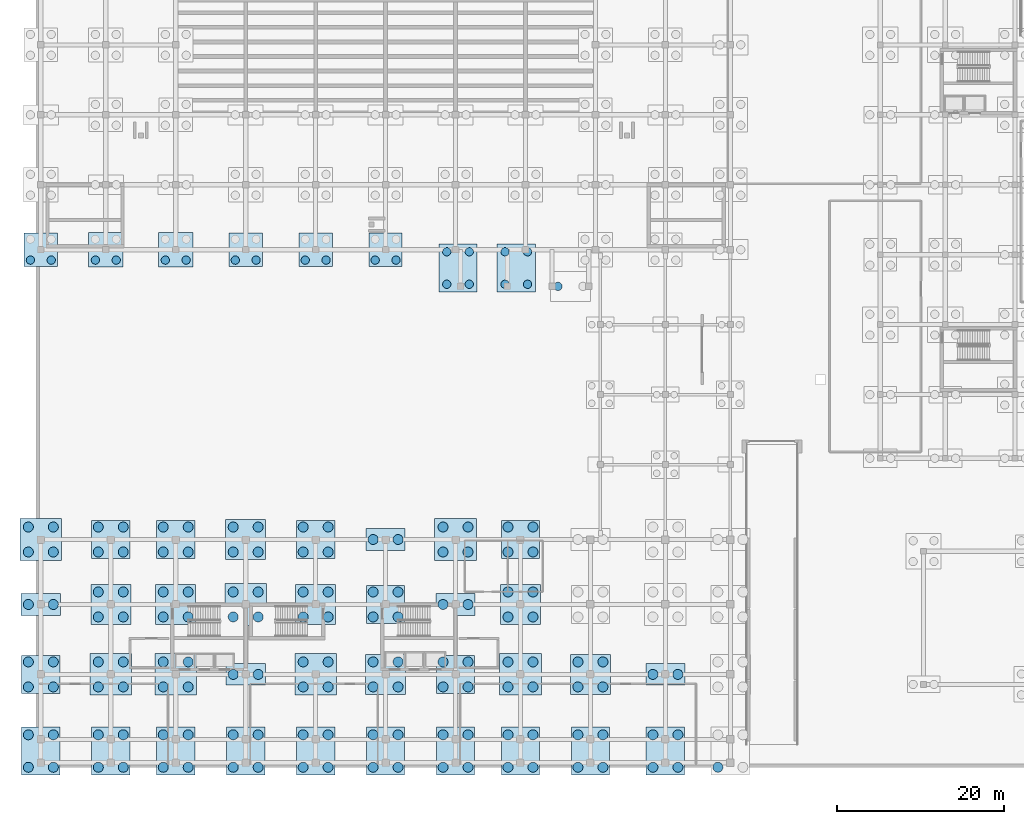
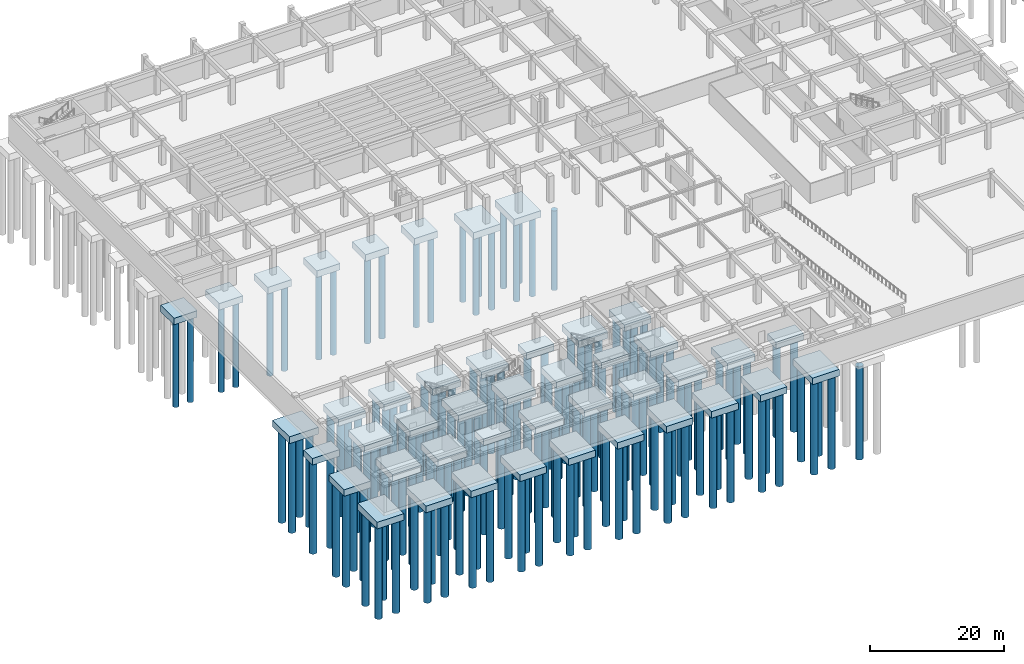
# One storey, part 1 of 35: 156 piles, 44 footings.
"""IFC4 building model written with IfcOpenShell, lengths in metres."""

from ifc_helpers import new_model, si_unit, direction, frame, origin, origin_2d, place, context, subcontext, project, spatial, rectangle, circle, extrude, material, material_profile, profile_set, type_object, element, save


model = new_model("IFC4")

# Units and contexts
model_context = context("Model", 3, precision=1e-05, world=origin(), true_north=direction((0.0, 1.0)))
body_context = subcontext(model_context, "Body", "Model", "MODEL_VIEW")
ifc_project = project(units=[si_unit("LENGTHUNIT", "METRE"), si_unit("AREAUNIT", "SQUARE_METRE"), si_unit("VOLUMEUNIT", "CUBIC_METRE"), si_unit("PLANEANGLEUNIT", "RADIAN"), si_unit("MASSUNIT", "GRAM", prefix="KILO")], contexts=[model_context])

# Site, building, storey
site_placement = place(None, origin())
site = spatial("IfcSite", under=ifc_project, at=site_placement, CompositionType="ELEMENT")
building_placement = place(site_placement, origin())
building = spatial("IfcBuilding", under=site, at=building_placement, Name="Zayran Congress Hotel", CompositionType="ELEMENT")
storey_placement = place(building_placement, frame((0.0, 0.0, -4.800048828125)))
storey = spatial("IfcBuildingStorey", under=building, at=storey_placement, Name="B1", CompositionType="ELEMENT", Elevation=-4.800048828125)

# Piles
ifc_material = material(Name="Concrete C40/50", Category="concrete")
ifc_material_profile_1 = material_profile(ifc_material, circle(Radius=0.60009765625, at=origin_2d()), Name="PILE D1200")
ifc_profile_set_1 = profile_set([ifc_material_profile_1], Name="Concrete C40/50")
pile_type_1 = type_object("IfcPileType", Name="TP-PL-1200", PredefinedType="BORED", material=ifc_profile_set_1)
for number, where, z_axis, x_axis, name in (
    (1, (7.5, 6.050048828125, -1.699951171875), (0.0, 0.0, -1.0), (1.0, 0.0, 0.0), "PIL-0025"),
    (2, (10.5, 6.050048828125, -1.699951171875), (0.0, 0.0, -1.0), (1.0, 0.0, 0.0), "PIL-0026"),
    (3, (7.5, 9.949951171875, -1.699951171875), (0.0, 0.0, -1.0), (1.0, 0.0, 0.0), "PIL-0027"),
    (4, (10.5, 9.949951171875, -1.699951171875), (0.0, 0.0, -1.0), (1.0, 0.0, 0.0), "PIL-0028"),
    (5, (7.5, 15.699951171875, -1.699951171875), (0.0, 0.0, -1.0), (1.0, 0.0, 0.0), "PIL-0029"),
    (6, (10.5, 15.699951171875, -1.699951171875), (0.0, 0.0, -1.0), (1.0, 0.0, 0.0), "PIL-0030"),
    (7, (7.5, 18.699951171875, -1.699951171875), (0.0, 0.0, -1.0), (1.0, 0.0, 0.0), "PIL-0031"),
    (8, (10.5, 18.699951171875, -1.699951171875), (0.0, 0.0, -1.0), (1.0, 0.0, 0.0), "PIL-0032"),
    (9, (7.5, 25.60009765625, -1.699951171875), (0.0, 0.0, -1.0), (1.0, 0.0, 0.0), "PIL-0033"),
    (10, (10.5, 25.60009765625, -1.699951171875), (0.0, 0.0, -1.0), (1.0, 0.0, 0.0), "PIL-0034"),
):
    element("IfcPile", number, at=place(storey_placement, frame(where, z_axis=z_axis, x_axis=x_axis)), inside=storey, type_object=pile_type_1, Name=name, PredefinedType="BORED", context=body_context, shape_type="SweptSolid", body=[
        extrude(circle(Radius=0.60009765625, at=origin_2d()), origin(), (0.0, 0.0, 1.0), 17.0),
    ])
for number, where, z_axis, x_axis, name in (
    (11, (7.5, 31.89990234375, -1.75), (0.0, 0.0, -1.0), (1.0, 0.0, 0.0), "PIL-0035"),
    (12, (10.5, 31.89990234375, -1.75), (0.0, 0.0, -1.0), (1.0, 0.0, 0.0), "PIL-0036"),
    (13, (7.5, 34.89990234375, -1.75), (0.0, 0.0, -1.0), (1.0, 0.0, 0.0), "PIL-0037"),
    (14, (10.5, 34.89990234375, -1.75), (0.0, 0.0, -1.0), (1.0, 0.0, 0.0), "PIL-0038"),
):
    element("IfcPile", number, at=place(storey_placement, frame(where, z_axis=z_axis, x_axis=x_axis)), inside=storey, type_object=pile_type_1, Name=name, PredefinedType="BORED", context=body_context, shape_type="SweptSolid", body=[
        extrude(circle(Radius=0.60009765625, at=origin_2d()), origin(), (0.0, 0.0, 1.0), 16.949951171875),
    ])
for number, where, z_axis, x_axis, name in (
    (15, (15.89990234375, 6.050048828125, -1.699951171875), (0.0, 0.0, -1.0), (1.0, 0.0, 0.0), "PIL-0087"),
    (16, (18.89990234375, 6.050048828125, -1.699951171875), (0.0, 0.0, -1.0), (1.0, 0.0, 0.0), "PIL-0088"),
    (17, (15.89990234375, 9.949951171875, -1.699951171875), (0.0, 0.0, -1.0), (1.0, 0.0, 0.0), "PIL-0089"),
    (18, (18.89990234375, 9.949951171875, -1.699951171875), (0.0, 0.0, -1.0), (1.0, 0.0, 0.0), "PIL-0090"),
):
    element("IfcPile", number, at=place(storey_placement, frame(where, z_axis=z_axis, x_axis=x_axis)), inside=storey, type_object=pile_type_1, Name=name, PredefinedType="BORED", context=body_context, shape_type="SweptSolid", body=[
        extrude(circle(Radius=0.60009765625, at=origin_2d()), origin(), (0.0, 0.0, 1.0), 17.0),
    ])
for number, where, z_axis, x_axis, name in (
    (19, (15.89990234375, 15.699951171875, -1.75), (0.0, 0.0, -1.0), (1.0, 0.0, 0.0), "PIL-0091"),
    (20, (18.89990234375, 15.699951171875, -1.75), (0.0, 0.0, -1.0), (1.0, 0.0, 0.0), "PIL-0092"),
    (21, (15.89990234375, 18.699951171875, -1.75), (0.0, 0.0, -1.0), (1.0, 0.0, 0.0), "PIL-0093"),
    (22, (18.89990234375, 18.699951171875, -1.75), (0.0, 0.0, -1.0), (1.0, 0.0, 0.0), "PIL-0094"),
):
    element("IfcPile", number, at=place(storey_placement, frame(where, z_axis=z_axis, x_axis=x_axis)), inside=storey, type_object=pile_type_1, Name=name, PredefinedType="BORED", context=body_context, shape_type="SweptSolid", body=[
        extrude(circle(Radius=0.60009765625, at=origin_2d()), origin(), (0.0, 0.0, 1.0), 16.949951171875),
    ])
for number, where, z_axis, x_axis, name in (
    (23, (15.89990234375, 24.10009765625, -1.699951171875), (0.0, 0.0, -1.0), (1.0, 0.0, 0.0), "PIL-0095"),
    (24, (18.89990234375, 24.10009765625, -1.699951171875), (0.0, 0.0, -1.0), (1.0, 0.0, 0.0), "PIL-0096"),
    (25, (15.89990234375, 27.10009765625, -1.699951171875), (0.0, 0.0, -1.0), (1.0, 0.0, 0.0), "PIL-0097"),
    (26, (18.89990234375, 27.10009765625, -1.699951171875), (0.0, 0.0, -1.0), (1.0, 0.0, 0.0), "PIL-0098"),
    (27, (15.89990234375, 31.89990234375, -1.699951171875), (0.0, 0.0, -1.0), (1.0, 0.0, 0.0), "PIL-0099"),
    (28, (18.89990234375, 31.89990234375, -1.699951171875), (0.0, 0.0, -1.0), (1.0, 0.0, 0.0), "PIL-0100"),
    (29, (15.89990234375, 34.89990234375, -1.699951171875), (0.0, 0.0, -1.0), (1.0, 0.0, 0.0), "PIL-0101"),
    (30, (18.89990234375, 34.89990234375, -1.699951171875), (0.0, 0.0, -1.0), (1.0, 0.0, 0.0), "PIL-0102"),
    (31, (23.699951171875, 6.050048828125, -1.699951171875), (0.0, 0.0, -1.0), (1.0, 0.0, 0.0), "PIL-0103"),
    (32, (26.699951171875, 6.050048828125, -1.699951171875), (0.0, 0.0, -1.0), (1.0, 0.0, 0.0), "PIL-0104"),
    (33, (23.699951171875, 9.949951171875, -1.699951171875), (0.0, 0.0, -1.0), (1.0, 0.0, 0.0), "PIL-0105"),
    (34, (26.699951171875, 9.949951171875, -1.699951171875), (0.0, 0.0, -1.0), (1.0, 0.0, 0.0), "PIL-0106"),
):
    element("IfcPile", number, at=place(storey_placement, frame(where, z_axis=z_axis, x_axis=x_axis)), inside=storey, type_object=pile_type_1, Name=name, PredefinedType="BORED", context=body_context, shape_type="SweptSolid", body=[
        extrude(circle(Radius=0.60009765625, at=origin_2d()), origin(), (0.0, 0.0, 1.0), 17.0),
    ])
for number, where, z_axis, x_axis, name in (
    (35, (23.699951171875, 15.699951171875, -1.75), (0.0, 0.0, -1.0), (1.0, 0.0, 0.0), "PIL-0107"),
    (36, (26.699951171875, 15.699951171875, -1.75), (0.0, 0.0, -1.0), (1.0, 0.0, 0.0), "PIL-0108"),
    (37, (23.699951171875, 18.699951171875, -1.75), (0.0, 0.0, -1.0), (1.0, 0.0, 0.0), "PIL-0109"),
    (38, (26.699951171875, 18.699951171875, -1.75), (0.0, 0.0, -1.0), (1.0, 0.0, 0.0), "PIL-0110"),
):
    element("IfcPile", number, at=place(storey_placement, frame(where, z_axis=z_axis, x_axis=x_axis)), inside=storey, type_object=pile_type_1, Name=name, PredefinedType="BORED", context=body_context, shape_type="SweptSolid", body=[
        extrude(circle(Radius=0.60009765625, at=origin_2d()), origin(), (0.0, 0.0, 1.0), 16.949951171875),
    ])
for number, where, z_axis, x_axis, name in (
    (39, (23.699951171875, 24.10009765625, -1.699951171875), (0.0, 0.0, -1.0), (1.0, 0.0, 0.0), "PIL-0111"),
    (40, (26.699951171875, 24.10009765625, -1.699951171875), (0.0, 0.0, -1.0), (1.0, 0.0, 0.0), "PIL-0112"),
    (41, (23.699951171875, 27.10009765625, -1.699951171875), (0.0, 0.0, -1.0), (1.0, 0.0, 0.0), "PIL-0113"),
    (42, (26.699951171875, 27.10009765625, -1.699951171875), (0.0, 0.0, -1.0), (1.0, 0.0, 0.0), "PIL-0114"),
    (43, (23.699951171875, 31.89990234375, -1.699951171875), (0.0, 0.0, -1.0), (1.0, 0.0, 0.0), "PIL-0115"),
    (44, (26.699951171875, 31.89990234375, -1.699951171875), (0.0, 0.0, -1.0), (1.0, 0.0, 0.0), "PIL-0116"),
    (45, (23.699951171875, 34.89990234375, -1.699951171875), (0.0, 0.0, -1.0), (1.0, 0.0, 0.0), "PIL-0117"),
    (46, (26.699951171875, 34.89990234375, -1.699951171875), (0.0, 0.0, -1.0), (1.0, 0.0, 0.0), "PIL-0118"),
    (47, (32.10009765625, 6.050048828125, -1.699951171875), (0.0, 0.0, -1.0), (1.0, 0.0, 0.0), "PIL-0143"),
    (48, (35.10009765625, 6.050048828125, -1.699951171875), (0.0, 0.0, -1.0), (1.0, 0.0, 0.0), "PIL-0144"),
    (49, (32.10009765625, 9.949951171875, -1.699951171875), (0.0, 0.0, -1.0), (1.0, 0.0, 0.0), "PIL-0145"),
    (50, (35.10009765625, 9.949951171875, -1.699951171875), (0.0, 0.0, -1.0), (1.0, 0.0, 0.0), "PIL-0146"),
    (51, (32.10009765625, 17.199951171875, -1.699951171875), (0.0, 0.0, -1.0), (1.0, 0.0, 0.0), "PIL-0147"),
    (52, (35.10009765625, 17.199951171875, -1.699951171875), (0.0, 0.0, -1.0), (1.0, 0.0, 0.0), "PIL-0148"),
):
    element("IfcPile", number, at=place(storey_placement, frame(where, z_axis=z_axis, x_axis=x_axis)), inside=storey, type_object=pile_type_1, Name=name, PredefinedType="BORED", context=body_context, shape_type="SweptSolid", body=[
        extrude(circle(Radius=0.60009765625, at=origin_2d()), origin(), (0.0, 0.0, 1.0), 17.0),
    ])
for number, where, z_axis, x_axis, name in (
    (53, (32.10009765625, 24.10009765625, -1.75), (0.0, 0.0, -1.0), (1.0, 0.0, 0.0), "PIL-0149"),
    (54, (35.10009765625, 24.10009765625, -1.75), (0.0, 0.0, -1.0), (1.0, 0.0, 0.0), "PIL-0150"),
    (55, (32.10009765625, 27.10009765625, -1.75), (0.0, 0.0, -1.0), (1.0, 0.0, 0.0), "PIL-0151"),
    (56, (35.10009765625, 27.10009765625, -1.75), (0.0, 0.0, -1.0), (1.0, 0.0, 0.0), "PIL-0152"),
):
    element("IfcPile", number, at=place(storey_placement, frame(where, z_axis=z_axis, x_axis=x_axis)), inside=storey, type_object=pile_type_1, Name=name, PredefinedType="BORED", context=body_context, shape_type="SweptSolid", body=[
        extrude(circle(Radius=0.60009765625, at=origin_2d()), origin(), (0.0, 0.0, 1.0), 16.949951171875),
    ])
for number, where, z_axis, x_axis, name in (
    (57, (32.10009765625, 31.89990234375, -1.699951171875), (0.0, 0.0, -1.0), (1.0, 0.0, 0.0), "PIL-0153"),
    (58, (35.10009765625, 31.89990234375, -1.699951171875), (0.0, 0.0, -1.0), (1.0, 0.0, 0.0), "PIL-0154"),
    (59, (32.10009765625, 34.89990234375, -1.699951171875), (0.0, 0.0, -1.0), (1.0, 0.0, 0.0), "PIL-0155"),
    (60, (35.10009765625, 34.89990234375, -1.699951171875), (0.0, 0.0, -1.0), (1.0, 0.0, 0.0), "PIL-0156"),
    (61, (40.5, 6.050048828125, -1.699951171875), (0.0, 0.0, -1.0), (1.0, 0.0, 0.0), "PIL-0175"),
    (62, (43.5, 6.050048828125, -1.699951171875), (0.0, 0.0, -1.0), (1.0, 0.0, 0.0), "PIL-0176"),
    (63, (40.5, 9.949951171875, -1.699951171875), (0.0, 0.0, -1.0), (1.0, 0.0, 0.0), "PIL-0177"),
    (64, (43.5, 9.949951171875, -1.699951171875), (0.0, 0.0, -1.0), (1.0, 0.0, 0.0), "PIL-0178"),
):
    element("IfcPile", number, at=place(storey_placement, frame(where, z_axis=z_axis, x_axis=x_axis)), inside=storey, type_object=pile_type_1, Name=name, PredefinedType="BORED", context=body_context, shape_type="SweptSolid", body=[
        extrude(circle(Radius=0.60009765625, at=origin_2d()), origin(), (0.0, 0.0, 1.0), 17.0),
    ])
for number, where, z_axis, x_axis, name in (
    (65, (40.5, 15.699951171875, -1.75), (0.0, 0.0, -1.0), (1.0, 0.0, 0.0), "PIL-0179"),
    (66, (43.5, 15.699951171875, -1.75), (0.0, 0.0, -1.0), (1.0, 0.0, 0.0), "PIL-0180"),
    (67, (40.5, 18.699951171875, -1.75), (0.0, 0.0, -1.0), (1.0, 0.0, 0.0), "PIL-0181"),
    (68, (43.5, 18.699951171875, -1.75), (0.0, 0.0, -1.0), (1.0, 0.0, 0.0), "PIL-0182"),
):
    element("IfcPile", number, at=place(storey_placement, frame(where, z_axis=z_axis, x_axis=x_axis)), inside=storey, type_object=pile_type_1, Name=name, PredefinedType="BORED", context=body_context, shape_type="SweptSolid", body=[
        extrude(circle(Radius=0.60009765625, at=origin_2d()), origin(), (0.0, 0.0, 1.0), 16.949951171875),
    ])
for number, where, z_axis, x_axis, name in (
    (69, (40.5, 24.10009765625, -1.699951171875), (0.0, 0.0, -1.0), (1.0, 0.0, 0.0), "PIL-0183"),
    (70, (43.5, 24.10009765625, -1.699951171875), (0.0, 0.0, -1.0), (1.0, 0.0, 0.0), "PIL-0184"),
    (71, (40.5, 27.10009765625, -1.699951171875), (0.0, 0.0, -1.0), (1.0, 0.0, 0.0), "PIL-0185"),
    (72, (43.5, 27.10009765625, -1.699951171875), (0.0, 0.0, -1.0), (1.0, 0.0, 0.0), "PIL-0186"),
    (73, (40.5, 31.89990234375, -1.699951171875), (0.0, 0.0, -1.0), (1.0, 0.0, 0.0), "PIL-0187"),
    (74, (43.5, 31.89990234375, -1.699951171875), (0.0, 0.0, -1.0), (1.0, 0.0, 0.0), "PIL-0188"),
    (75, (40.5, 34.89990234375, -1.699951171875), (0.0, 0.0, -1.0), (1.0, 0.0, 0.0), "PIL-0189"),
    (76, (43.5, 34.89990234375, -1.699951171875), (0.0, 0.0, -1.0), (1.0, 0.0, 0.0), "PIL-0190"),
    (77, (48.89990234375, 6.050048828125, -1.699951171875), (0.0, 0.0, -1.0), (1.0, 0.0, 0.0), "PIL-0209"),
    (78, (51.89990234375, 6.050048828125, -1.699951171875), (0.0, 0.0, -1.0), (1.0, 0.0, 0.0), "PIL-0210"),
    (79, (48.89990234375, 9.949951171875, -1.699951171875), (0.0, 0.0, -1.0), (1.0, 0.0, 0.0), "PIL-0211"),
    (80, (51.89990234375, 9.949951171875, -1.699951171875), (0.0, 0.0, -1.0), (1.0, 0.0, 0.0), "PIL-0212"),
    (81, (48.89990234375, 15.699951171875, -1.699951171875), (0.0, 0.0, -1.0), (1.0, 0.0, 0.0), "PIL-0213"),
    (82, (51.89990234375, 15.699951171875, -1.699951171875), (0.0, 0.0, -1.0), (1.0, 0.0, 0.0), "PIL-0214"),
    (83, (48.89990234375, 18.699951171875, -1.699951171875), (0.0, 0.0, -1.0), (1.0, 0.0, 0.0), "PIL-0215"),
    (84, (51.89990234375, 18.699951171875, -1.699951171875), (0.0, 0.0, -1.0), (1.0, 0.0, 0.0), "PIL-0216"),
    (85, (48.89990234375, 24.10009765625, -1.699951171875), (0.0, 0.0, -1.0), (1.0, 0.0, 0.0), "PIL-0217"),
    (86, (51.89990234375, 24.10009765625, -1.699951171875), (0.0, 0.0, -1.0), (1.0, 0.0, 0.0), "PIL-0218"),
    (87, (48.89990234375, 27.10009765625, -1.699951171875), (0.0, 0.0, -1.0), (1.0, 0.0, 0.0), "PIL-0219"),
    (88, (51.89990234375, 27.10009765625, -1.699951171875), (0.0, 0.0, -1.0), (1.0, 0.0, 0.0), "PIL-0220"),
    (89, (48.89990234375, 33.39990234375, -1.699951171875), (0.0, 0.0, -1.0), (1.0, 0.0, 0.0), "PIL-0221"),
    (90, (51.89990234375, 33.39990234375, -1.699951171875), (0.0, 0.0, -1.0), (1.0, 0.0, 0.0), "PIL-0222"),
    (91, (57.300048828125, 6.050048828125, -1.699951171875), (0.0, 0.0, -1.0), (1.0, 0.0, 0.0), "PIL-0241"),
    (92, (60.300048828125, 6.050048828125, -1.699951171875), (0.0, 0.0, -1.0), (1.0, 0.0, 0.0), "PIL-0242"),
    (93, (57.300048828125, 9.949951171875, -1.699951171875), (0.0, 0.0, -1.0), (1.0, 0.0, 0.0), "PIL-0243"),
    (94, (60.300048828125, 9.949951171875, -1.699951171875), (0.0, 0.0, -1.0), (1.0, 0.0, 0.0), "PIL-0244"),
    (95, (57.300048828125, 15.699951171875, -1.699951171875), (0.0, 0.0, -1.0), (1.0, 0.0, 0.0), "PIL-0245"),
    (96, (60.300048828125, 15.699951171875, -1.699951171875), (0.0, 0.0, -1.0), (1.0, 0.0, 0.0), "PIL-0246"),
    (97, (57.300048828125, 18.699951171875, -1.699951171875), (0.0, 0.0, -1.0), (1.0, 0.0, 0.0), "PIL-0247"),
    (98, (60.300048828125, 18.699951171875, -1.699951171875), (0.0, 0.0, -1.0), (1.0, 0.0, 0.0), "PIL-0248"),
    (99, (57.300048828125, 25.60009765625, -1.699951171875), (0.0, 0.0, -1.0), (1.0, 0.0, 0.0), "PIL-0249"),
    (100, (60.300048828125, 25.60009765625, -1.699951171875), (0.0, 0.0, -1.0), (1.0, 0.0, 0.0), "PIL-0250"),
):
    element("IfcPile", number, at=place(storey_placement, frame(where, z_axis=z_axis, x_axis=x_axis)), inside=storey, type_object=pile_type_1, Name=name, PredefinedType="BORED", context=body_context, shape_type="SweptSolid", body=[
        extrude(circle(Radius=0.60009765625, at=origin_2d()), origin(), (0.0, 0.0, 1.0), 17.0),
    ])
for number, where, z_axis, x_axis, name in (
    (101, (57.300048828125, 31.89990234375, -1.75), (0.0, 0.0, -1.0), (1.0, 0.0, 0.0), "PIL-0251"),
    (102, (60.300048828125, 31.89990234375, -1.75), (0.0, 0.0, -1.0), (1.0, 0.0, 0.0), "PIL-0252"),
    (103, (57.300048828125, 34.89990234375, -1.75), (0.0, 0.0, -1.0), (1.0, 0.0, 0.0), "PIL-0253"),
    (104, (60.300048828125, 34.89990234375, -1.75), (0.0, 0.0, -1.0), (1.0, 0.0, 0.0), "PIL-0254"),
):
    element("IfcPile", number, at=place(storey_placement, frame(where, z_axis=z_axis, x_axis=x_axis)), inside=storey, type_object=pile_type_1, Name=name, PredefinedType="BORED", context=body_context, shape_type="SweptSolid", body=[
        extrude(circle(Radius=0.60009765625, at=origin_2d()), origin(), (0.0, 0.0, 1.0), 16.949951171875),
    ])
for number, where, z_axis, x_axis, name in (
    (105, (65.10009765625, 6.050048828125, -1.699951171875), (0.0, 0.0, -1.0), (1.0, 0.0, 0.0), "PIL-0277"),
    (106, (68.10009765625, 6.050048828125, -1.699951171875), (0.0, 0.0, -1.0), (1.0, 0.0, 0.0), "PIL-0278"),
    (107, (65.10009765625, 9.949951171875, -1.699951171875), (0.0, 0.0, -1.0), (1.0, 0.0, 0.0), "PIL-0279"),
    (108, (68.10009765625, 9.949951171875, -1.699951171875), (0.0, 0.0, -1.0), (1.0, 0.0, 0.0), "PIL-0280"),
):
    element("IfcPile", number, at=place(storey_placement, frame(where, z_axis=z_axis, x_axis=x_axis)), inside=storey, type_object=pile_type_1, Name=name, PredefinedType="BORED", context=body_context, shape_type="SweptSolid", body=[
        extrude(circle(Radius=0.60009765625, at=origin_2d()), origin(), (0.0, 0.0, 1.0), 17.0),
    ])
for number, where, z_axis, x_axis, name in (
    (109, (65.10009765625, 15.699951171875, -1.75), (0.0, 0.0, -1.0), (1.0, 0.0, 0.0), "PIL-0281"),
    (110, (68.10009765625, 15.699951171875, -1.75), (0.0, 0.0, -1.0), (1.0, 0.0, 0.0), "PIL-0282"),
    (111, (65.10009765625, 18.699951171875, -1.75), (0.0, 0.0, -1.0), (1.0, 0.0, 0.0), "PIL-0283"),
    (112, (68.10009765625, 18.699951171875, -1.75), (0.0, 0.0, -1.0), (1.0, 0.0, 0.0), "PIL-0284"),
):
    element("IfcPile", number, at=place(storey_placement, frame(where, z_axis=z_axis, x_axis=x_axis)), inside=storey, type_object=pile_type_1, Name=name, PredefinedType="BORED", context=body_context, shape_type="SweptSolid", body=[
        extrude(circle(Radius=0.60009765625, at=origin_2d()), origin(), (0.0, 0.0, 1.0), 16.949951171875),
    ])
for number, where, z_axis, x_axis, name in (
    (113, (65.10009765625, 24.10009765625, -1.699951171875), (0.0, 0.0, -1.0), (1.0, 0.0, 0.0), "PIL-0285"),
    (114, (68.10009765625, 24.10009765625, -1.699951171875), (0.0, 0.0, -1.0), (1.0, 0.0, 0.0), "PIL-0286"),
    (115, (65.10009765625, 27.10009765625, -1.699951171875), (0.0, 0.0, -1.0), (1.0, 0.0, 0.0), "PIL-0287"),
    (116, (68.10009765625, 27.10009765625, -1.699951171875), (0.0, 0.0, -1.0), (1.0, 0.0, 0.0), "PIL-0288"),
    (117, (65.10009765625, 31.89990234375, -1.699951171875), (0.0, 0.0, -1.0), (1.0, 0.0, 0.0), "PIL-0289"),
    (118, (68.10009765625, 31.89990234375, -1.699951171875), (0.0, 0.0, -1.0), (1.0, 0.0, 0.0), "PIL-0290"),
    (119, (65.10009765625, 34.89990234375, -1.699951171875), (0.0, 0.0, -1.0), (1.0, 0.0, 0.0), "PIL-0291"),
    (120, (68.10009765625, 34.89990234375, -1.699951171875), (0.0, 0.0, -1.0), (1.0, 0.0, 0.0), "PIL-0292"),
    (121, (73.5, 6.050048828125, -1.699951171875), (0.0, 0.0, -1.0), (1.0, 0.0, 0.0), "PIL-0309"),
    (122, (76.5, 6.050048828125, -1.699951171875), (0.0, 0.0, -1.0), (1.0, 0.0, 0.0), "PIL-0310"),
    (123, (73.5, 9.949951171875, -1.699951171875), (0.0, 0.0, -1.0), (1.0, 0.0, 0.0), "PIL-0311"),
    (124, (76.5, 9.949951171875, -1.699951171875), (0.0, 0.0, -1.0), (1.0, 0.0, 0.0), "PIL-0312"),
    (125, (73.5, 15.699951171875, -1.699951171875), (0.0, 0.0, -1.0), (1.0, 0.0, 0.0), "PIL-0313"),
    (126, (76.5, 15.699951171875, -1.699951171875), (0.0, 0.0, -1.0), (1.0, 0.0, 0.0), "PIL-0314"),
    (127, (73.5, 18.699951171875, -1.699951171875), (0.0, 0.0, -1.0), (1.0, 0.0, 0.0), "PIL-0315"),
    (128, (76.5, 18.699951171875, -1.699951171875), (0.0, 0.0, -1.0), (1.0, 0.0, 0.0), "PIL-0316"),
    (129, (82.5, 6.050048828125, -1.699951171875), (0.0, 0.0, -1.0), (1.0, 0.0, 0.0), "PIL-0354"),
    (130, (85.5, 6.050048828125, -1.699951171875), (0.0, 0.0, -1.0), (1.0, 0.0, 0.0), "PIL-0355"),
    (131, (82.5, 9.949951171875, -1.699951171875), (0.0, 0.0, -1.0), (1.0, 0.0, 0.0), "PIL-0356"),
    (132, (85.5, 9.949951171875, -1.699951171875), (0.0, 0.0, -1.0), (1.0, 0.0, 0.0), "PIL-0357"),
    (133, (82.5, 17.199951171875, -1.699951171875), (0.0, 0.0, -1.0), (1.0, 0.0, 0.0), "PIL-0358"),
    (134, (85.5, 17.199951171875, -1.699951171875), (0.0, 0.0, -1.0), (1.0, 0.0, 0.0), "PIL-0359"),
    (135, (90.300048828125, 6.050048828125, -1.699951171875), (0.0, 0.0, -1.0), (1.0, 0.0, 0.0), "PIL-0399"),
):
    element("IfcPile", number, at=place(storey_placement, frame(where, z_axis=z_axis, x_axis=x_axis)), inside=storey, type_object=pile_type_1, Name=name, PredefinedType="BORED", context=body_context, shape_type="SweptSolid", body=[
        extrude(circle(Radius=0.60009765625, at=origin_2d()), origin(), (0.0, 0.0, 1.0), 17.0),
    ])
ifc_material_profile_2 = material_profile(ifc_material, circle(Radius=0.5, at=origin_2d()), Name="PILE D1000")
ifc_profile_set_2 = profile_set([ifc_material_profile_2], Name="Concrete C40/50")
pile_type_2 = type_object("IfcPileType", Name="TP-PL-1000", PredefinedType="BORED", material=ifc_profile_set_2)
for number, where, z_axis, x_axis, name in (
    (136, (7.75, 66.949951171875, -1.699951171875), (0.0, 0.0, -1.0), (1.0, 0.0, 0.0), "PIL-0039"),
    (137, (10.25, 66.949951171875, -1.699951171875), (0.0, 0.0, -1.0), (1.0, 0.0, 0.0), "PIL-0040"),
    (138, (15.550048828125, 66.949951171875, -1.699951171875), (0.0, 0.0, -1.0), (1.0, 0.0, 0.0), "PIL-0063"),
    (139, (18.050048828125, 66.949951171875, -1.699951171875), (0.0, 0.0, -1.0), (1.0, 0.0, 0.0), "PIL-0064"),
    (140, (23.949951171875, 66.949951171875, -1.699951171875), (0.0, 0.0, -1.0), (1.0, 0.0, 0.0), "PIL-0119"),
    (141, (26.449951171875, 66.949951171875, -1.699951171875), (0.0, 0.0, -1.0), (1.0, 0.0, 0.0), "PIL-0120"),
    (142, (32.35009765625, 66.949951171875, -1.699951171875), (0.0, 0.0, -1.0), (1.0, 0.0, 0.0), "PIL-0157"),
    (143, (34.85009765625, 66.949951171875, -1.699951171875), (0.0, 0.0, -1.0), (1.0, 0.0, 0.0), "PIL-0158"),
    (144, (40.75, 66.949951171875, -1.699951171875), (0.0, 0.0, -1.0), (1.0, 0.0, 0.0), "PIL-0191"),
    (145, (43.25, 66.949951171875, -1.699951171875), (0.0, 0.0, -1.0), (1.0, 0.0, 0.0), "PIL-0192"),
    (146, (49.14990234375, 66.949951171875, -1.699951171875), (0.0, 0.0, -1.0), (1.0, 0.0, 0.0), "PIL-0223"),
    (147, (51.64990234375, 66.949951171875, -1.699951171875), (0.0, 0.0, -1.0), (1.0, 0.0, 0.0), "PIL-0224"),
):
    element("IfcPile", number, at=place(storey_placement, frame(where, z_axis=z_axis, x_axis=x_axis)), inside=storey, type_object=pile_type_2, Name=name, PredefinedType="BORED", context=body_context, shape_type="SweptSolid", body=[
        extrude(circle(Radius=0.5, at=origin_2d()), origin(), (0.0, 0.0, 1.0), 15.5),
    ])
for number, where, z_axis, x_axis, name in (
    (148, (57.75, 64.050048828125, -1.699951171875), (0.0, 0.0, -1.0), (1.0, 0.0, 0.0), "PIL-0255"),
    (149, (60.449951171875, 64.050048828125, -1.699951171875), (0.0, 0.0, -1.0), (1.0, 0.0, 0.0), "PIL-0256"),
    (150, (57.75, 67.949951171875, -1.699951171875), (0.0, 0.0, -1.0), (1.0, 0.0, 0.0), "PIL-0257"),
    (151, (60.449951171875, 67.949951171875, -1.699951171875), (0.0, 0.0, -1.0), (1.0, 0.0, 0.0), "PIL-0258"),
    (152, (64.75, 64.050048828125, -1.699951171875), (0.0, 0.0, -1.0), (1.0, 0.0, 0.0), "PIL-0273"),
    (153, (67.449951171875, 64.050048828125, -1.699951171875), (0.0, 0.0, -1.0), (1.0, 0.0, 0.0), "PIL-0274"),
    (154, (64.75, 67.949951171875, -1.699951171875), (0.0, 0.0, -1.0), (1.0, 0.0, 0.0), "PIL-0275"),
    (155, (67.449951171875, 67.949951171875, -1.699951171875), (0.0, 0.0, -1.0), (1.0, 0.0, 0.0), "PIL-0276"),
    (156, (71.10009765625, 63.800048828125, -1.699951171875), (0.0, 0.0, -1.0), (1.0, 0.0, 0.0), "PIL-0307"),
):
    element("IfcPile", number, at=place(storey_placement, frame(where, z_axis=z_axis, x_axis=x_axis)), inside=storey, type_object=pile_type_2, Name=name, PredefinedType="BORED", context=body_context, shape_type="SweptSolid", body=[
        extrude(circle(Radius=0.5, at=origin_2d()), origin(), (0.0, 0.0, 1.0), 14.5),
    ])

# Footings
footing_type_1 = type_object("IfcFootingType", Name="TP-PC-01", PredefinedType="PILE_CAP", material=ifc_material)
for number, where, z_axis, x_axis, name in (
    (157, (9.0, 33.39990234375, -1.849853515625), (0.0, 0.0, 1.0), (1.0, 0.0, 0.0), "FTG-CAP-008"),
    (158, (17.39990234375, 17.199951171875, -1.849853515625), (0.0, 0.0, 1.0), (1.0, 0.0, 0.0), "FTG-CAP-024"),
    (159, (25.199951171875, 17.199951171875, -1.849853515625), (0.0, 0.0, 1.0), (1.0, 0.0, 0.0), "FTG-CAP-028"),
    (160, (33.60009765625, 25.60009765625, -1.849853515625), (0.0, 0.0, 1.0), (1.0, 0.0, 0.0), "FTG-CAP-040"),
    (161, (42.0, 17.199951171875, -1.849853515625), (0.0, 0.0, 1.0), (1.0, 0.0, 0.0), "FTG-CAP-048"),
    (162, (58.800048828125, 33.39990234375, -1.849853515625), (0.0, 0.0, 1.0), (1.0, 0.0, 0.0), "FTG-CAP-068"),
    (163, (66.60009765625, 17.199951171875, -1.849853515625), (0.0, 0.0, 1.0), (1.0, 0.0, 0.0), "FTG-CAP-076"),
):
    element("IfcFooting", number, at=place(storey_placement, frame(where, z_axis=z_axis, x_axis=x_axis)), inside=storey, type_object=footing_type_1, Name=name, PredefinedType="PILE_CAP", context=body_context, shape_type="SweptSolid", body=[
        extrude(rectangle(XDim=5.0, YDim=5.0, at=origin_2d()), origin(), (0.0, 0.0, 1.0), 1.25),
    ])
footing_type_2 = type_object("IfcFootingType", Name="TP-PC-02", PredefinedType="PILE_CAP", material=ifc_material)
for number, where, z_axis, x_axis, name in (
    (164, (17.39990234375, 25.60009765625, -1.7998046875), (0.0, 0.0, 1.0), (1.0, 0.0, 0.0), "FTG-CAP-025"),
    (165, (25.199951171875, 25.60009765625, -1.7998046875), (0.0, 0.0, 1.0), (1.0, 0.0, 0.0), "FTG-CAP-029"),
    (166, (33.60009765625, 33.39990234375, -1.7998046875), (0.0, 0.0, 1.0), (1.0, 0.0, 0.0), "FTG-CAP-041"),
    (167, (42.0, 25.60009765625, -1.7998046875), (0.0, 0.0, 1.0), (1.0, 0.0, 0.0), "FTG-CAP-049"),
    (168, (50.39990234375, 17.199951171875, -1.7998046875), (0.0, 0.0, 1.0), (1.0, 0.0, 0.0), "FTG-CAP-057"),
    (169, (66.60009765625, 25.60009765625, -1.7998046875), (0.0, 0.0, 1.0), (1.0, 0.0, 0.0), "FTG-CAP-077"),
    (170, (75.0, 17.199951171875, -1.7998046875), (0.0, 0.0, 1.0), (1.0, 0.0, 0.0), "FTG-CAP-085"),
):
    element("IfcFooting", number, at=place(storey_placement, frame(where, z_axis=z_axis, x_axis=x_axis)), inside=storey, type_object=footing_type_2, Name=name, PredefinedType="PILE_CAP", context=body_context, shape_type="SweptSolid", body=[
        extrude(rectangle(XDim=4.800048828125, YDim=4.800048828125, at=origin_2d()), origin(), (0.0, 0.0, 1.0), 1.199951171875),
    ])
footing_type_3 = type_object("IfcFootingType", Name="TP-PC-03", PredefinedType="PILE_CAP", material=ifc_material)
for number, where, z_axis, x_axis, name in (
    (171, (9.0, 17.199951171875, -1.7998046875), (0.0, 0.0, 1.0), (1.0, 0.0, 0.0), "FTG-CAP-006"),
    (172, (17.39990234375, 33.39990234375, -1.7998046875), (0.0, 0.0, 1.0), (1.0, 0.0, 0.0), "FTG-CAP-026"),
    (173, (25.199951171875, 33.39990234375, -1.7998046875), (0.0, 0.0, 1.0), (1.0, 0.0, 0.0), "FTG-CAP-030"),
    (174, (42.0, 33.39990234375, -1.7998046875), (0.0, 0.0, 1.0), (1.0, 0.0, 0.0), "FTG-CAP-050"),
    (175, (50.39990234375, 25.60009765625, -1.7998046875), (0.0, 0.0, 1.0), (1.0, 0.0, 0.0), "FTG-CAP-058"),
    (176, (58.800048828125, 17.199951171875, -1.7998046875), (0.0, 0.0, 1.0), (1.0, 0.0, 0.0), "FTG-CAP-066"),
    (177, (66.60009765625, 33.39990234375, -1.7998046875), (0.0, 0.0, 1.0), (1.0, 0.0, 0.0), "FTG-CAP-078"),
):
    element("IfcFooting", number, at=place(storey_placement, frame(where, z_axis=z_axis, x_axis=x_axis)), inside=storey, type_object=footing_type_3, Name=name, PredefinedType="PILE_CAP", context=body_context, shape_type="SweptSolid", body=[
        extrude(rectangle(XDim=4.60009765625, YDim=4.60009765625, at=origin_2d()), origin(), (0.0, 0.0, 1.0), 1.199951171875),
    ])
footing_type_4 = type_object("IfcFootingType", Name="TP-PC-04", PredefinedType="PILE_CAP", material=ifc_material)
for number, where, z_axis, x_axis, name in (
    (178, (9.0, 68.199951171875, -1.7998046875), (0.0, 0.0, 1.0), (1.0, 0.0, 0.0), "FTG-CAP-009"),
    (179, (33.60009765625, 68.199951171875, -1.7998046875), (0.0, 0.0, 1.0), (1.0, 0.0, 0.0), "FTG-CAP-042"),
    (180, (42.0, 68.199951171875, -1.7998046875), (0.0, 0.0, 1.0), (1.0, 0.0, 0.0), "FTG-CAP-051"),
    (181, (50.39990234375, 68.199951171875, -1.7998046875), (0.0, 0.0, 1.0), (1.0, 0.0, 0.0), "FTG-CAP-060"),
):
    element("IfcFooting", number, at=place(storey_placement, frame(where, z_axis=z_axis, x_axis=x_axis)), inside=storey, type_object=footing_type_4, Name=name, PredefinedType="PILE_CAP", context=body_context, shape_type="SweptSolid", body=[
        extrude(rectangle(XDim=4.0, YDim=4.0, at=origin_2d()), origin(), (0.0, 0.0, 1.0), 1.199951171875),
    ])
footing_type_5 = type_object("IfcFootingType", Name="TP-PC-05", PredefinedType="PILE_CAP", material=ifc_material)
for number, where, z_axis, x_axis, name in (
    (182, (16.800048828125, 68.199951171875, -1.7998046875), (0.0, 0.0, 1.0), (1.0, 0.0, 0.0), "FTG-CAP-016"),
    (183, (25.199951171875, 68.199951171875, -1.7998046875), (0.0, 0.0, 1.0), (1.0, 0.0, 0.0), "FTG-CAP-031"),
):
    element("IfcFooting", number, at=place(storey_placement, frame(where, z_axis=z_axis, x_axis=x_axis)), inside=storey, type_object=footing_type_5, Name=name, PredefinedType="PILE_CAP", context=body_context, shape_type="SweptSolid", body=[
        extrude(rectangle(XDim=4.10009765625, YDim=4.10009765625, at=origin_2d()), origin(), (0.0, 0.0, 1.0), 1.199951171875),
    ])
footing_type_6 = type_object("IfcFootingType", Name="TP-PC-09", PredefinedType="PILE_CAP", material=ifc_material)
for number, where, z_axis, x_axis, name in (
    (184, (9.0, 25.60009765625, -1.7998046875), (0.0, 0.0, 1.0), (1.0, 0.0, 0.0), "FTG-CAP-007"),
    (185, (33.60009765625, 17.199951171875, -1.7998046875), (0.0, 0.0, 1.0), (1.0, 0.0, 0.0), "FTG-CAP-039"),
    (186, (50.39990234375, 33.39990234375, -1.7998046875), (0.0, 0.0, 1.0), (1.0, 0.0, 0.0), "FTG-CAP-059"),
    (187, (58.800048828125, 25.60009765625, -1.7998046875), (0.0, 0.0, 1.0), (1.0, 0.0, 0.0), "FTG-CAP-067"),
    (188, (84.0, 17.199951171875, -1.7998046875), (0.0, 0.0, 1.0), (1.0, 0.0, 0.0), "FTG-CAP-099"),
):
    element("IfcFooting", number, at=place(storey_placement, frame(where, z_axis=z_axis, x_axis=x_axis)), inside=storey, type_object=footing_type_6, Name=name, PredefinedType="PILE_CAP", context=body_context, shape_type="SweptSolid", body=[
        extrude(rectangle(XDim=4.699951171875, YDim=2.60009765625, at=origin_2d()), origin(), (0.0, 0.0, 1.0), 1.199951171875),
    ])
footing_type_7 = type_object("IfcFootingType", Name="TP-PC-15", PredefinedType="PILE_CAP", material=ifc_material)
for number, where, z_axis, x_axis, name in (
    (189, (9.0, 8.0, -1.7998046875), (0.0, 0.0, 1.0), (1.0, 0.0, 0.0), "FTG-CAP-005"),
    (190, (17.39990234375, 8.0, -1.7998046875), (0.0, 0.0, 1.0), (1.0, 0.0, 0.0), "FTG-CAP-023"),
    (191, (25.199951171875, 8.0, -1.7998046875), (0.0, 0.0, 1.0), (1.0, 0.0, 0.0), "FTG-CAP-027"),
    (192, (33.60009765625, 8.0, -1.7998046875), (0.0, 0.0, 1.0), (1.0, 0.0, 0.0), "FTG-CAP-038"),
    (193, (42.0, 8.0, -1.7998046875), (0.0, 0.0, 1.0), (1.0, 0.0, 0.0), "FTG-CAP-047"),
    (194, (50.39990234375, 8.0, -1.7998046875), (0.0, 0.0, 1.0), (1.0, 0.0, 0.0), "FTG-CAP-056"),
    (195, (58.800048828125, 8.0, -1.7998046875), (0.0, 0.0, 1.0), (1.0, 0.0, 0.0), "FTG-CAP-065"),
    (196, (66.60009765625, 8.0, -1.7998046875), (0.0, 0.0, 1.0), (1.0, 0.0, 0.0), "FTG-CAP-075"),
    (197, (75.0, 8.0, -1.7998046875), (0.0, 0.0, 1.0), (1.0, 0.0, 0.0), "FTG-CAP-084"),
    (198, (84.0, 8.0, -1.7998046875), (0.0, 0.0, 1.0), (1.0, 0.0, 0.0), "FTG-CAP-098"),
):
    element("IfcFooting", number, at=place(storey_placement, frame(where, z_axis=z_axis, x_axis=x_axis)), inside=storey, type_object=footing_type_7, Name=name, PredefinedType="PILE_CAP", context=body_context, shape_type="SweptSolid", body=[
        extrude(rectangle(XDim=4.60009765625, YDim=5.800048828125, at=origin_2d()), origin(), (0.0, 0.0, 1.0), 1.199951171875),
    ])
footing_type_8 = type_object("IfcFootingType", Name="TP-PC-15-4600-5800-1200", PredefinedType="PILE_CAP", material=ifc_material)
for number, where, z_axis, x_axis, name in (
    (199, (59.10009765625, 66.0, -1.7998046875), (0.0, 0.0, 1.0), (1.0, 0.0, 0.0), "FTG-CAP-069"),
    (200, (66.10009765625, 66.0, -1.7998046875), (0.0, 0.0, 1.0), (1.0, 0.0, 0.0), "FTG-CAP-074"),
):
    element("IfcFooting", number, at=place(storey_placement, frame(where, z_axis=z_axis, x_axis=x_axis)), inside=storey, type_object=footing_type_8, Name=name, PredefinedType="PILE_CAP", context=body_context, shape_type="SweptSolid", body=[
        extrude(rectangle(XDim=4.60009765625, YDim=5.800048828125, at=origin_2d()), origin(), (0.0, 0.0, 1.0), 1.199951171875),
    ])

save(model, "model.ifc")
